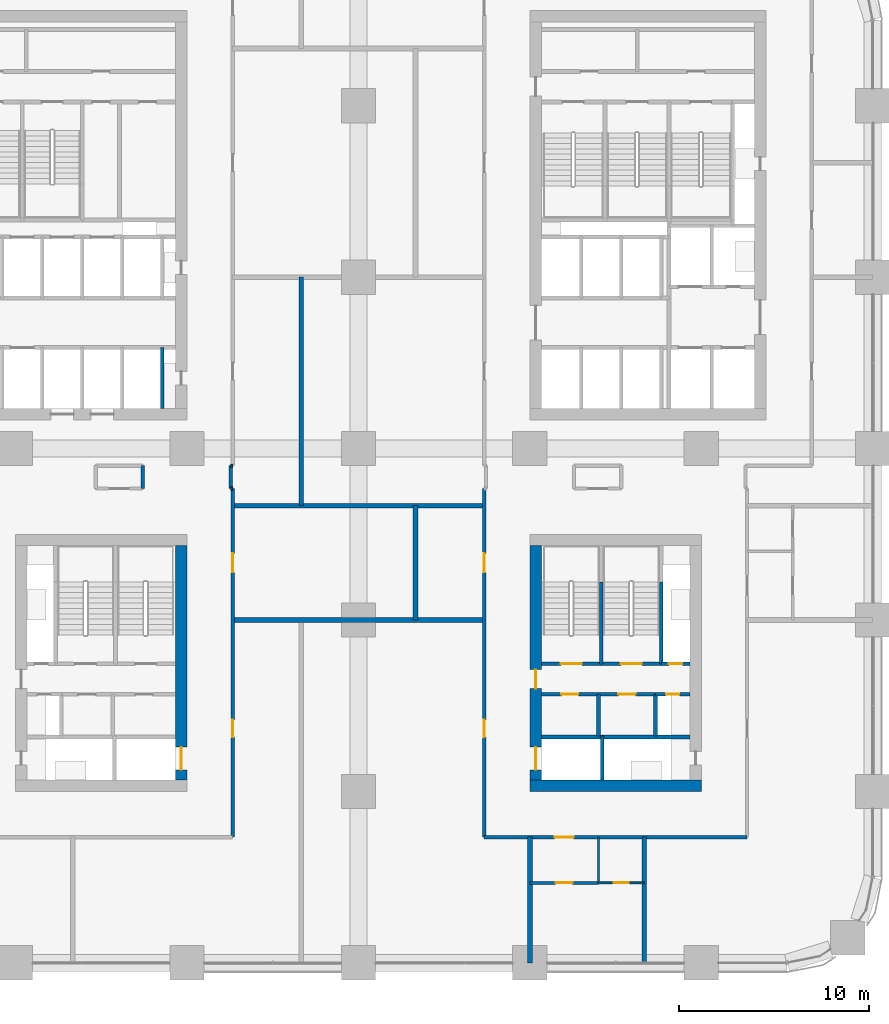
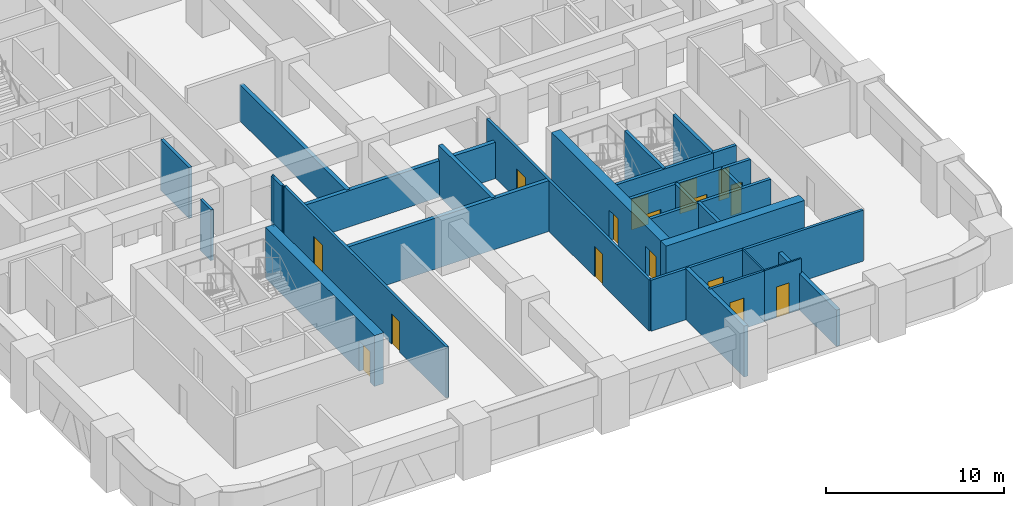
# One storey, part 14 of 21: 30 walls, 16 doors, 16 openings.
"""IFC4 building model written with IfcOpenShell, lengths in metres."""

from ifc_helpers import new_model, si_unit, direction, frame, frame_2d, origin, place, context, subcontext, project, spatial, rectangle, extrude, material, layer, layer_set, type_object, element, fill, save


model = new_model("IFC4")

# Units and contexts
model_context = context("Model", 3, precision=1e-05, world=origin(), true_north=direction((0.0, 1.0)))
body_context = subcontext(model_context, "Body", "Model", "MODEL_VIEW")
ifc_project = project(units=[si_unit("LENGTHUNIT", "METRE"), si_unit("AREAUNIT", "SQUARE_METRE"), si_unit("VOLUMEUNIT", "CUBIC_METRE"), si_unit("PLANEANGLEUNIT", "RADIAN"), si_unit("MASSUNIT", "GRAM", prefix="KILO")], contexts=[model_context])

# Site, building, storey
site_placement = place(None, origin())
site = spatial("IfcSite", under=ifc_project, at=site_placement, CompositionType="ELEMENT")
building_placement = place(site_placement, origin())
building = spatial("IfcBuilding", under=site, at=building_placement, Name="Tessera Arch", CompositionType="ELEMENT")
storey_placement = place(building_placement, frame((0.0, 0.0, 65.199951171875)))
storey = spatial("IfcBuildingStorey", under=building, at=storey_placement, Name="L14", CompositionType="ELEMENT", Elevation=65.199951171875)

# Wall
ifc_material_1 = material(Name="Gypsum board on steel stud", Category="steel")
ifc_layer_1 = layer(ifc_material_1, 0.125)
ifc_layer_set_1 = layer_set([ifc_layer_1], Name="Core partition 125 EI 60")
wall_type_1 = type_object("IfcWallType", Name="Core partition 125 EI 60", PredefinedType="PARTITIONING", material=ifc_layer_set_1)
wall_1_placement = place(storey_placement, frame((39.60009765625, 11.89990234375, 0.0), z_axis=(0.0, 0.0, 1.0), x_axis=(0.0, 1.0, 0.0)))
element("IfcWall", 1, at=wall_1_placement, inside=storey, type_object=wall_type_1, Name="L14 C3 partition wall 1", PredefinedType="PARTITIONING", context=body_context, shape_type="SweptSolid", body=[
    extrude(rectangle(XDim=2.2001953125, YDim=0.199951171875, at=frame_2d((1.10009765625, 0.0))), origin(), (0.0, 0.0, 1.0), 3.5),
])

# Wall, openings, doors
wall_2_placement = place(storey_placement, frame((36.60009765625, 14.10009765625, 0.0), z_axis=(0.0, 0.0, 1.0), x_axis=(1.0, 0.0, 0.0)))
wall_2 = element("IfcWall", 2, at=wall_2_placement, inside=storey, type_object=wall_type_1, Name="L14 C3 partition wall 9", PredefinedType="PARTITIONING", context=body_context, shape_type="SweptSolid", body=[
    extrude(rectangle(XDim=6.0, YDim=0.199951171875, at=frame_2d((3.0, 0.0))), origin(), (0.0, 0.0, 1.0), 3.5),
])
opening_1_placement = place(wall_2_placement, frame((1.050048828125, 0.0, 0.0)))
opening_1 = element("IfcOpeningElement", 3, at=opening_1_placement, cuts=wall_2, Name="Opening L14-C39", PredefinedType="OPENING", context=body_context, shape_type="SweptSolid", body=[
    extrude(rectangle(XDim=0.89990234375, YDim=2.10009765625, at=frame_2d((0.449951171875, 1.050048828125))), frame((0.0, 0.10986328125, 0.0), z_axis=(0.0, -1.0, 0.0), x_axis=(1.0, 0.0, 0.0)), (0.0, 0.0, 1.0), 0.219970703125),
])
opening_2_placement = place(wall_2_placement, frame((4.050048828125, 0.0, 0.0)))
opening_2 = element("IfcOpeningElement", 4, at=opening_2_placement, cuts=wall_2, Name="Opening L14-C40", PredefinedType="OPENING", context=body_context, shape_type="SweptSolid", body=[
    extrude(rectangle(XDim=0.89990234375, YDim=2.10009765625, at=frame_2d((0.449951171875, 1.050048828125))), frame((0.0, 0.10986328125, 0.0), z_axis=(0.0, -1.0, 0.0), x_axis=(1.0, 0.0, 0.0)), (0.0, 0.0, 1.0), 0.219970703125),
])
ifc_material_2 = material(Name="Steel door leaf", Category="steel")
door_type_1 = type_object("IfcDoorType", Name="Store door FD30S 900 x 2100", OperationType="SINGLE_SWING_LEFT", PredefinedType="DOOR", material=ifc_material_2)
door_1_placement = place(opening_1_placement, origin())
door_1 = element("IfcDoor", 5, at=door_1_placement, inside=storey, type_object=door_type_1, Name="L14 C3 door 8 C39 type D09", OperationType="SINGLE_SWING_LEFT", OverallHeight=2.10009765625, OverallWidth=0.89990234375, PredefinedType="DOOR", context=body_context, shape_type="SweptSolid", body=[
    extrude(rectangle(XDim=0.89990234375, YDim=2.10009765625, at=frame_2d((0.449951171875, 1.050048828125))), frame((0.0, 0.02490234375, 0.0), z_axis=(0.0, -1.0, 0.0), x_axis=(1.0, 0.0, 0.0)), (0.0, 0.0, 1.0), 0.050048828125),
])
fill(opening_1, door_1)
door_2_placement = place(opening_2_placement, origin())
door_2 = element("IfcDoor", 6, at=door_2_placement, inside=storey, type_object=door_type_1, Name="L14 C3 door 9 C40 type D09", OperationType="SINGLE_SWING_RIGHT", OverallHeight=2.10009765625, OverallWidth=0.89990234375, PredefinedType="DOOR", context=body_context, shape_type="SweptSolid", body=[
    extrude(rectangle(XDim=0.89990234375, YDim=2.10009765625, at=frame_2d((0.449951171875, 1.050048828125))), frame((0.0, 0.02490234375, 0.0), z_axis=(0.0, -1.0, 0.0), x_axis=(1.0, 0.0, 0.0)), (0.0, 0.0, 1.0), 0.050048828125),
])
fill(opening_2, door_2)

# Wall
ifc_material_3 = material(Name="Concrete C70/85", Category="concrete")
ifc_layer_2 = layer(ifc_material_3, 0.60009765625)
ifc_layer_set_2 = layer_set([ifc_layer_2], Name="Core shell wall 600 C70-85")
wall_type_2 = type_object("IfcWallType", Name="Core shell wall 600 C70-85", PredefinedType="SHEAR", material=ifc_layer_set_2)
wall_3_placement = place(storey_placement, frame((36.0, 9.300048828125, 0.0), z_axis=(0.0, 0.0, 1.0), x_axis=(1.0, 0.0, 0.0)))
element("IfcWall", 7, at=wall_3_placement, inside=storey, type_object=wall_type_2, Name="L14 C3 core wall S", PredefinedType="SHEAR", context=body_context, shape_type="SweptSolid", body=[
    extrude(rectangle(XDim=9.0, YDim=0.60009765625, at=frame_2d((4.5, 0.0))), origin(), (0.0, 0.0, 1.0), 3.5),
])

# Wall, openings, doors
wall_4_placement = place(storey_placement, frame((36.300048828125, 9.60009765625, 0.0), z_axis=(0.0, 0.0, 1.0), x_axis=(0.0, 1.0, 0.0)))
wall_4 = element("IfcWall", 8, at=wall_4_placement, inside=storey, type_object=wall_type_2, Name="L14 C3 core wall W", PredefinedType="SHEAR", context=body_context, shape_type="SweptSolid", body=[
    extrude(rectangle(XDim=12.2998046875, YDim=0.60009765625, at=frame_2d((6.14990234375, 0.0))), origin(), (0.0, 0.0, 1.0), 3.5),
])
opening_3_placement = place(wall_4_placement, frame((0.52490234375, 0.0, 0.0)))
opening_3 = element("IfcOpeningElement", 9, at=opening_3_placement, cuts=wall_4, Name="Opening L14-C32", PredefinedType="OPENING", context=body_context, shape_type="SweptSolid", body=[
    extrude(rectangle(XDim=1.199951171875, YDim=2.10009765625, at=frame_2d((0.60009765625, 1.050048828125))), frame((0.0, 0.31005859375, 0.0), z_axis=(0.0, -1.0, 0.0), x_axis=(1.0, 0.0, 0.0)), (0.0, 0.0, 1.0), 0.6201171875),
])
opening_4_placement = place(wall_4_placement, frame((4.800048828125, 0.0, 0.0)))
opening_4 = element("IfcOpeningElement", 10, at=opening_4_placement, cuts=wall_4, Name="Opening L14-C38", PredefinedType="OPENING", context=body_context, shape_type="SweptSolid", body=[
    extrude(rectangle(XDim=1.0, YDim=2.10009765625, at=frame_2d((0.5, 1.050048828125))), frame((0.0, 0.31005859375, 0.0), z_axis=(0.0, -1.0, 0.0), x_axis=(1.0, 0.0, 0.0)), (0.0, 0.0, 1.0), 0.6201171875),
])
ifc_material_4 = material(Name="Steel door leaf", Category="steel")
door_type_2 = type_object("IfcDoorType", Name="Corridor door FD60 1000 x 2100", OperationType="SINGLE_SWING_LEFT", PredefinedType="DOOR", material=ifc_material_4)
door_3_placement = place(opening_4_placement, origin())
door_3 = element("IfcDoor", 11, at=door_3_placement, inside=storey, type_object=door_type_2, Name="L14 C3 door 7 C38 type D12", OperationType="SINGLE_SWING_LEFT", OverallHeight=2.10009765625, OverallWidth=1.0, PredefinedType="DOOR", context=body_context, shape_type="SweptSolid", body=[
    extrude(rectangle(XDim=1.0, YDim=2.10009765625, at=frame_2d((0.5, 1.050048828125))), frame((0.0, 0.02490234375, 0.0), z_axis=(0.0, -1.0, 0.0), x_axis=(1.0, 0.0, 0.0)), (0.0, 0.0, 1.0), 0.050048828125),
])
fill(opening_4, door_3)
ifc_material_5 = material(Name="Stainless steel AISI 304", Category="steel")
door_type_3 = type_object("IfcDoorType", Name="Sliding landing door 1200 x 2100", OperationType="SLIDING_TO_LEFT", PredefinedType="DOOR", material=ifc_material_5)
door_4_placement = place(opening_3_placement, origin())
door_4 = element("IfcDoor", 12, at=door_4_placement, inside=storey, type_object=door_type_3, Name="L14 SV1 lift landing door C32 type LD", OperationType="SLIDING_TO_LEFT", OverallHeight=2.10009765625, OverallWidth=1.199951171875, PredefinedType="DOOR", context=body_context, shape_type="SweptSolid", body=[
    extrude(rectangle(XDim=1.199951171875, YDim=2.10009765625, at=frame_2d((0.60009765625, 1.050048828125))), frame((0.0, 0.02490234375, 0.0), z_axis=(0.0, -1.0, 0.0), x_axis=(1.0, 0.0, 0.0)), (0.0, 0.0, 1.0), 0.050048828125),
])
fill(opening_3, door_4)

# Wall, opening, door
wall_5_placement = place(storey_placement, frame((17.699951171875, 9.60009765625, 0.0), z_axis=(0.0, 0.0, 1.0), x_axis=(0.0, 1.0, 0.0)))
wall_5 = element("IfcWall", 13, at=wall_5_placement, inside=storey, type_object=wall_type_2, Name="L14 C4 core wall E", PredefinedType="SHEAR", context=body_context, shape_type="SweptSolid", body=[
    extrude(rectangle(XDim=12.2998046875, YDim=0.60009765625, at=frame_2d((6.14990234375, 0.0))), origin(), (0.0, 0.0, 1.0), 3.5),
])
opening_5_placement = place(wall_5_placement, frame((0.52490234375, 0.0, 0.0)))
opening_5 = element("IfcOpeningElement", 14, at=opening_5_placement, cuts=wall_5, Name="Opening L14-C41", PredefinedType="OPENING", context=body_context, shape_type="SweptSolid", body=[
    extrude(rectangle(XDim=1.199951171875, YDim=2.10009765625, at=frame_2d((0.60009765625, 1.050048828125))), frame((0.0, 0.31005859375, 0.0), z_axis=(0.0, -1.0, 0.0), x_axis=(1.0, 0.0, 0.0)), (0.0, 0.0, 1.0), 0.6201171875),
])
door_5_placement = place(opening_5_placement, origin())
door_5 = element("IfcDoor", 15, at=door_5_placement, inside=storey, type_object=door_type_3, Name="L14 SV3 lift landing door C41 type LD", OperationType="SLIDING_TO_LEFT", OverallHeight=2.10009765625, OverallWidth=1.199951171875, PredefinedType="DOOR", context=body_context, shape_type="SweptSolid", body=[
    extrude(rectangle(XDim=1.199951171875, YDim=2.10009765625, at=frame_2d((0.60009765625, 1.050048828125))), frame((0.0, 0.02490234375, 0.0), z_axis=(0.0, -1.0, 0.0), x_axis=(1.0, 0.0, 0.0)), (0.0, 0.0, 1.0), 0.050048828125),
])
fill(opening_5, door_5)

ifc_material_6 = material(Name="Gypsum board on deep steel stud with mineral wool", Category="steel")
ifc_layer_3 = layer(ifc_material_6, 0.175048828125)
ifc_layer_set_3 = layer_set([ifc_layer_3], Name="Corridor wall 175 EI 60")
wall_type_3 = type_object("IfcWallType", Name="Corridor wall 175 EI 60", PredefinedType="PARTITIONING", material=ifc_layer_set_3)
wall_6_placement = place(storey_placement, frame((33.60009765625, 6.60009765625, 0.0), z_axis=(0.0, 0.0, 1.0), x_axis=(1.0, 0.0, 0.0)))
wall_6 = element("IfcWall", 16, at=wall_6_placement, inside=storey, type_object=wall_type_3, Name="L14 partition 2", PredefinedType="PARTITIONING", context=body_context, shape_type="SweptSolid", body=[
    extrude(rectangle(XDim=13.7998046875, YDim=0.175048828125, at=frame_2d((6.89990234375, 0.0))), origin(), (0.0, 0.0, 1.0), 3.5),
])
opening_6_placement = place(wall_6_placement, frame((3.699951171875, 0.0, 0.0)))
opening_6 = element("IfcOpeningElement", 17, at=opening_6_placement, cuts=wall_6, Name="Opening L14-D001", PredefinedType="OPENING", context=body_context, shape_type="SweptSolid", body=[
    extrude(rectangle(XDim=1.0, YDim=2.10009765625, at=frame_2d((0.5, 1.050048828125))), frame((0.0, 0.097412109375, 0.0), z_axis=(0.0, -1.0, 0.0), x_axis=(1.0, 0.0, 0.0)), (0.0, 0.0, 1.0), 0.195068359375),
])
ifc_material_7 = material(Name="Fire-rated door leaf")
door_type_4 = type_object("IfcDoorType", Name="Entrance door FD30S 1000 x 2100", OperationType="SINGLE_SWING_LEFT", PredefinedType="DOOR", material=ifc_material_7)
door_6_placement = place(opening_6_placement, origin())
door_6 = element("IfcDoor", 18, at=door_6_placement, inside=storey, type_object=door_type_4, Name="L14 door D001 type D03", OperationType="SINGLE_SWING_RIGHT", OverallHeight=2.10009765625, OverallWidth=1.0, PredefinedType="DOOR", context=body_context, shape_type="SweptSolid", body=[
    extrude(rectangle(XDim=1.0, YDim=2.10009765625, at=frame_2d((0.5, 1.050048828125))), frame((0.0, 0.02490234375, 0.0), z_axis=(0.0, -1.0, 0.0), x_axis=(1.0, 0.0, 0.0)), (0.0, 0.0, 1.0), 0.050048828125),
])
fill(opening_6, door_6)

# Walls
for number, where, z_axis, x_axis, name in (
    (19, (20.300048828125, 24.89990234375, 0.0), (0.0, 0.0, 1.0), (1.0, 0.0, 0.0), "L14 partition 5"),
    (20, (20.300048828125, 26.10009765625, 0.0), (0.0, 0.0, 1.0), (1.0, 0.0, 0.0), "L14 partition 11"),
):
    element("IfcWall", number, at=place(storey_placement, frame(where, z_axis=z_axis, x_axis=x_axis)), inside=storey, type_object=wall_type_3, Name=name, PredefinedType="PARTITIONING", context=body_context, shape_type="SweptSolid", body=[
        extrude(rectangle(XDim=0.099853515625, YDim=0.175048828125, at=frame_2d((0.0498046875, 0.0))), origin(), (0.0, 0.0, 1.0), 3.5),
    ])
for number, where, z_axis, x_axis, name in (
    (21, (15.679931640625, 24.89990234375, 0.0), (0.0, 0.0, 1.0), (0.0, 1.0, 0.0), "L14 partition 21"),
    (22, (20.300048828125, 24.89990234375, 0.0), (0.0, 0.0, 1.0), (0.0, 1.0, 0.0), "L14 partition 22"),
):
    element("IfcWall", number, at=place(storey_placement, frame(where, z_axis=z_axis, x_axis=x_axis)), inside=storey, type_object=wall_type_3, Name=name, PredefinedType="PARTITIONING", context=body_context, shape_type="SweptSolid", body=[
        extrude(rectangle(XDim=1.2001953125, YDim=0.175048828125, at=frame_2d((0.60009765625, 0.0))), origin(), (0.0, 0.0, 1.0), 3.5),
    ])

# Wall, openings, doors
wall_7_placement = place(storey_placement, frame((20.39990234375, 6.60009765625, 0.0), z_axis=(0.0, 0.0, 1.0), x_axis=(0.0, 1.0, 0.0)))
wall_7 = element("IfcWall", 23, at=wall_7_placement, inside=storey, type_object=wall_type_3, Name="L14 partition 23", PredefinedType="PARTITIONING", context=body_context, shape_type="SweptSolid", body=[
    extrude(rectangle(XDim=18.2998046875, YDim=0.175048828125, at=frame_2d((9.14990234375, 0.0))), origin(), (0.0, 0.0, 1.0), 3.5),
])
opening_7_placement = place(wall_7_placement, frame((5.25, 0.0, 0.0)))
opening_7 = element("IfcOpeningElement", 24, at=opening_7_placement, cuts=wall_7, Name="Opening L14-D004", PredefinedType="OPENING", context=body_context, shape_type="SweptSolid", body=[
    extrude(rectangle(XDim=0.89990234375, YDim=2.10009765625, at=frame_2d((0.449951171875, 1.050048828125))), frame((0.0, 0.097412109375, 0.0), z_axis=(0.0, -1.0, 0.0), x_axis=(1.0, 0.0, 0.0)), (0.0, 0.0, 1.0), 0.195068359375),
])
opening_8_placement = place(wall_7_placement, frame((13.89990234375, 0.0, 0.0)))
opening_8 = element("IfcOpeningElement", 25, at=opening_8_placement, cuts=wall_7, Name="Opening L14-D008", PredefinedType="OPENING", context=body_context, shape_type="SweptSolid", body=[
    extrude(rectangle(XDim=1.0, YDim=2.10009765625, at=frame_2d((0.5, 1.050048828125))), frame((0.0, 0.097412109375, 0.0), z_axis=(0.0, -1.0, 0.0), x_axis=(1.0, 0.0, 0.0)), (0.0, 0.0, 1.0), 0.195068359375),
])
door_7_placement = place(opening_8_placement, origin())
door_7 = element("IfcDoor", 26, at=door_7_placement, inside=storey, type_object=door_type_4, Name="L14 door D008 type D03", OperationType="SINGLE_SWING_LEFT", OverallHeight=2.10009765625, OverallWidth=1.0, PredefinedType="DOOR", context=body_context, shape_type="SweptSolid", body=[
    extrude(rectangle(XDim=1.0, YDim=2.10009765625, at=frame_2d((0.5, 1.050048828125))), frame((0.0, 0.02490234375, 0.0), z_axis=(0.0, -1.0, 0.0), x_axis=(1.0, 0.0, 0.0)), (0.0, 0.0, 1.0), 0.050048828125),
])
fill(opening_8, door_7)
ifc_material_8 = material(Name="Timber door leaf", Category="wood")
door_type_5 = type_object("IfcDoorType", Name="Room door 900 x 2100", OperationType="SINGLE_SWING_LEFT", PredefinedType="DOOR", material=ifc_material_8)
door_8_placement = place(opening_7_placement, origin())
door_8 = element("IfcDoor", 27, at=door_8_placement, inside=storey, type_object=door_type_5, Name="L14 door D004 type D01", OperationType="SINGLE_SWING_LEFT", OverallHeight=2.10009765625, OverallWidth=0.89990234375, PredefinedType="DOOR", context=body_context, shape_type="SweptSolid", body=[
    extrude(rectangle(XDim=0.89990234375, YDim=2.10009765625, at=frame_2d((0.449951171875, 1.050048828125))), frame((0.0, 0.02490234375, 0.0), z_axis=(0.0, -1.0, 0.0), x_axis=(1.0, 0.0, 0.0)), (0.0, 0.0, 1.0), 0.050048828125),
])
fill(opening_7, door_8)

wall_8_placement = place(storey_placement, frame((33.60009765625, 6.60009765625, 0.0), z_axis=(0.0, 0.0, 1.0), x_axis=(0.0, 1.0, 0.0)))
wall_8 = element("IfcWall", 28, at=wall_8_placement, inside=storey, type_object=wall_type_3, Name="L14 partition 25", PredefinedType="PARTITIONING", context=body_context, shape_type="SweptSolid", body=[
    extrude(rectangle(XDim=18.2998046875, YDim=0.175048828125, at=frame_2d((9.14990234375, 0.0))), origin(), (0.0, 0.0, 1.0), 3.5),
])
opening_9_placement = place(wall_8_placement, frame((5.25, 0.0, 0.0)))
opening_9 = element("IfcOpeningElement", 29, at=opening_9_placement, cuts=wall_8, Name="Opening L14-D007", PredefinedType="OPENING", context=body_context, shape_type="SweptSolid", body=[
    extrude(rectangle(XDim=0.89990234375, YDim=2.10009765625, at=frame_2d((0.449951171875, 1.050048828125))), frame((0.0, 0.097412109375, 0.0), z_axis=(0.0, -1.0, 0.0), x_axis=(1.0, 0.0, 0.0)), (0.0, 0.0, 1.0), 0.195068359375),
])
opening_10_placement = place(wall_8_placement, frame((13.89990234375, 0.0, 0.0)))
opening_10 = element("IfcOpeningElement", 30, at=opening_10_placement, cuts=wall_8, Name="Opening L14-D009", PredefinedType="OPENING", context=body_context, shape_type="SweptSolid", body=[
    extrude(rectangle(XDim=1.0, YDim=2.10009765625, at=frame_2d((0.5, 1.050048828125))), frame((0.0, 0.097412109375, 0.0), z_axis=(0.0, -1.0, 0.0), x_axis=(1.0, 0.0, 0.0)), (0.0, 0.0, 1.0), 0.195068359375),
])
door_9_placement = place(opening_10_placement, origin())
door_9 = element("IfcDoor", 31, at=door_9_placement, inside=storey, type_object=door_type_4, Name="L14 door D009 type D03", OperationType="SINGLE_SWING_LEFT", OverallHeight=2.10009765625, OverallWidth=1.0, PredefinedType="DOOR", context=body_context, shape_type="SweptSolid", body=[
    extrude(rectangle(XDim=1.0, YDim=2.10009765625, at=frame_2d((0.5, 1.050048828125))), frame((0.0, 0.02490234375, 0.0), z_axis=(0.0, -1.0, 0.0), x_axis=(1.0, 0.0, 0.0)), (0.0, 0.0, 1.0), 0.050048828125),
])
fill(opening_10, door_9)
door_10_placement = place(opening_9_placement, origin())
door_10 = element("IfcDoor", 32, at=door_10_placement, inside=storey, type_object=door_type_5, Name="L14 door D007 type D01", OperationType="SINGLE_SWING_LEFT", OverallHeight=2.10009765625, OverallWidth=0.89990234375, PredefinedType="DOOR", context=body_context, shape_type="SweptSolid", body=[
    extrude(rectangle(XDim=0.89990234375, YDim=2.10009765625, at=frame_2d((0.449951171875, 1.050048828125))), frame((0.0, 0.02490234375, 0.0), z_axis=(0.0, -1.0, 0.0), x_axis=(1.0, 0.0, 0.0)), (0.0, 0.0, 1.0), 0.050048828125),
])
fill(opening_9, door_10)

# Wall, opening, door
ifc_material_9 = material(Name="Gypsum board on steel stud", Category="steel")
ifc_layer_4 = layer(ifc_material_9, 0.14990234375)
ifc_layer_set_4 = layer_set([ifc_layer_4], Name="Partition 150")
wall_type_4 = type_object("IfcWallType", Name="Partition 150", PredefinedType="PARTITIONING", material=ifc_layer_set_4)
wall_9_placement = place(storey_placement, frame((36.0, 4.199951171875, 0.0), z_axis=(0.0, 0.0, 1.0), x_axis=(1.0, 0.0, 0.0)))
wall_9 = element("IfcWall", 33, at=wall_9_placement, inside=storey, type_object=wall_type_4, Name="L14 partition 33", PredefinedType="PARTITIONING", context=body_context, shape_type="SweptSolid", body=[
    extrude(rectangle(XDim=3.60009765625, YDim=0.14990234375, at=frame_2d((1.800048828125, 0.0))), origin(), (0.0, 0.0, 1.0), 3.5),
])
opening_11_placement = place(wall_9_placement, frame((1.35009765625, 0.0, 0.0)))
opening_11 = element("IfcOpeningElement", 34, at=opening_11_placement, cuts=wall_9, Name="Opening L14-D002", PredefinedType="OPENING", context=body_context, shape_type="SweptSolid", body=[
    extrude(rectangle(XDim=0.89990234375, YDim=2.10009765625, at=frame_2d((0.449951171875, 1.050048828125))), frame((0.0, 0.0849609375, 0.0), z_axis=(0.0, -1.0, 0.0), x_axis=(1.0, 0.0, 0.0)), (0.0, 0.0, 1.0), 0.169921875),
])
door_11_placement = place(opening_11_placement, origin())
door_11 = element("IfcDoor", 35, at=door_11_placement, inside=storey, type_object=door_type_5, Name="L14 door D002 type D01", OperationType="SINGLE_SWING_LEFT", OverallHeight=2.10009765625, OverallWidth=0.89990234375, PredefinedType="DOOR", context=body_context, shape_type="SweptSolid", body=[
    extrude(rectangle(XDim=0.89990234375, YDim=2.10009765625, at=frame_2d((0.449951171875, 1.050048828125))), frame((0.0, 0.02490234375, 0.0), z_axis=(0.0, -1.0, 0.0), x_axis=(1.0, 0.0, 0.0)), (0.0, 0.0, 1.0), 0.050048828125),
])
fill(opening_11, door_11)

# Walls
ifc_material_10 = material(Name="Double gypsum board on twin steel stud with acoustic mineral wool", Category="steel")
ifc_layer_5 = layer(ifc_material_10, 0.25)
ifc_layer_set_5 = layer_set([ifc_layer_5], Name="Party wall 250 EI 60")
wall_type_5 = type_object("IfcWallType", Name="Party wall 250 EI 60", PredefinedType="PARTITIONING", material=ifc_layer_set_5)
wall_10_placement = place(storey_placement, frame((20.39990234375, 18.0, 0.0), z_axis=(0.0, 0.0, 1.0), x_axis=(1.0, 0.0, 0.0)))
element("IfcWall", 36, at=wall_10_placement, inside=storey, type_object=wall_type_5, Name="L14 partition 37", PredefinedType="PARTITIONING", context=body_context, shape_type="SweptSolid", body=[
    extrude(rectangle(XDim=13.2001953125, YDim=0.25, at=frame_2d((6.60009765625, 0.0))), origin(), (0.0, 0.0, 1.0), 3.5),
])
wall_11_placement = place(storey_placement, frame((20.39990234375, 24.0, 0.0), z_axis=(0.0, 0.0, 1.0), x_axis=(1.0, 0.0, 0.0)))
element("IfcWall", 37, at=wall_11_placement, inside=storey, type_object=wall_type_5, Name="L14 partition 39", PredefinedType="PARTITIONING", context=body_context, shape_type="SweptSolid", body=[
    extrude(rectangle(XDim=13.2001953125, YDim=0.25, at=frame_2d((6.60009765625, 0.0))), origin(), (0.0, 0.0, 1.0), 2.5),
])
wall_12_placement = place(storey_placement, frame((24.0, 24.0, 0.0), z_axis=(0.0, 0.0, 1.0), x_axis=(0.0, 1.0, 0.0)))
element("IfcWall", 38, at=wall_12_placement, inside=storey, type_object=wall_type_5, Name="L14 partition 51", PredefinedType="PARTITIONING", context=body_context, shape_type="SweptSolid", body=[
    extrude(rectangle(XDim=12.0, YDim=0.25, at=frame_2d((6.0, 0.0))), origin(), (0.0, 0.0, 1.0), 2.5),
])
wall_13_placement = place(storey_placement, frame((30.0, 18.0, 0.0), z_axis=(0.0, 0.0, 1.0), x_axis=(0.0, 1.0, 0.0)))
element("IfcWall", 39, at=wall_13_placement, inside=storey, type_object=wall_type_5, Name="L14 partition 53", PredefinedType="PARTITIONING", context=body_context, shape_type="SweptSolid", body=[
    extrude(rectangle(XDim=6.0, YDim=0.25, at=frame_2d((3.0, 0.0))), origin(), (0.0, 0.0, 1.0), 3.5),
])
wall_14_placement = place(storey_placement, frame((36.0, 0.0, 0.0), z_axis=(0.0, 0.0, 1.0), x_axis=(0.0, 1.0, 0.0)))
element("IfcWall", 40, at=wall_14_placement, inside=storey, type_object=wall_type_5, Name="L14 partition 55", PredefinedType="PARTITIONING", context=body_context, shape_type="SweptSolid", body=[
    extrude(rectangle(XDim=6.60009765625, YDim=0.25, at=frame_2d((3.300048828125, 0.0))), origin(), (0.0, 0.0, 1.0), 3.5),
])
wall_15_placement = place(storey_placement, frame((42.0, 0.0, 0.0), z_axis=(0.0, 0.0, 1.0), x_axis=(0.0, 1.0, 0.0)))
element("IfcWall", 41, at=wall_15_placement, inside=storey, type_object=wall_type_5, Name="L14 partition 57", PredefinedType="PARTITIONING", context=body_context, shape_type="SweptSolid", body=[
    extrude(rectangle(XDim=6.60009765625, YDim=0.25, at=frame_2d((3.300048828125, 0.0))), origin(), (0.0, 0.0, 1.0), 2.5),
])
ifc_material_11 = material(Name="Concrete C40/50", Category="concrete")
ifc_layer_6 = layer(ifc_material_11, 0.199951171875)
ifc_layer_set_6 = layer_set([ifc_layer_6], Name="Shaft wall 200 EI 120")
wall_type_6 = type_object("IfcWallType", Name="Shaft wall 200 EI 120", PredefinedType="SOLIDWALL", material=ifc_layer_set_6)
wall_16_placement = place(storey_placement, frame((16.699951171875, 29.10009765625, 0.0), z_axis=(0.0, 0.0, 1.0), x_axis=(0.0, 1.0, 0.0)))
element("IfcWall", 42, at=wall_16_placement, inside=storey, type_object=wall_type_6, Name="L14 C2 shaft wall 15", PredefinedType="SOLIDWALL", context=body_context, shape_type="SweptSolid", body=[
    extrude(rectangle(XDim=3.199951171875, YDim=0.199951171875, at=frame_2d((1.60009765625, 0.0))), origin(), (0.0, 0.0, 1.0), 3.5),
])
wall_17_placement = place(storey_placement, frame((39.800048828125, 9.60009765625, 0.0), z_axis=(0.0, 0.0, 1.0), x_axis=(0.0, 1.0, 0.0)))
element("IfcWall", 43, at=wall_17_placement, inside=storey, type_object=wall_type_6, Name="L14 C3 shaft wall 4", PredefinedType="SOLIDWALL", context=body_context, shape_type="SweptSolid", body=[
    extrude(rectangle(XDim=2.2998046875, YDim=0.199951171875, at=frame_2d((1.14990234375, 0.0))), origin(), (0.0, 0.0, 1.0), 3.5),
])
wall_18_placement = place(storey_placement, frame((42.60009765625, 11.89990234375, 0.0), z_axis=(0.0, 0.0, 1.0), x_axis=(0.0, 1.0, 0.0)))
element("IfcWall", 44, at=wall_18_placement, inside=storey, type_object=wall_type_6, Name="L14 C3 shaft wall 5", PredefinedType="SOLIDWALL", context=body_context, shape_type="SweptSolid", body=[
    extrude(rectangle(XDim=2.2001953125, YDim=0.199951171875, at=frame_2d((1.10009765625, 0.0))), origin(), (0.0, 0.0, 1.0), 3.5),
])
wall_19_placement = place(storey_placement, frame((36.60009765625, 11.85009765625, 0.0), z_axis=(0.0, 0.0, 1.0), x_axis=(1.0, 0.0, 0.0)))
element("IfcWall", 45, at=wall_19_placement, inside=storey, type_object=wall_type_6, Name="L14 C3 shaft wall 8", PredefinedType="SOLIDWALL", context=body_context, shape_type="SweptSolid", body=[
    extrude(rectangle(XDim=7.7998046875, YDim=0.199951171875, at=frame_2d((3.89990234375, 0.0))), origin(), (0.0, 0.0, 1.0), 3.5),
])

# Wall, opening, door
wall_20_placement = place(storey_placement, frame((42.60009765625, 14.10009765625, 0.0), z_axis=(0.0, 0.0, 1.0), x_axis=(1.0, 0.0, 0.0)))
wall_20 = element("IfcWall", 46, at=wall_20_placement, inside=storey, type_object=wall_type_6, Name="L14 C3 shaft wall 10", PredefinedType="SOLIDWALL", context=body_context, shape_type="SweptSolid", body=[
    extrude(rectangle(XDim=1.7998046875, YDim=0.199951171875, at=frame_2d((0.89990234375, 0.0))), origin(), (0.0, 0.0, 1.0), 3.5),
])
opening_12_placement = place(wall_20_placement, frame((0.550048828125, 0.0, 0.0)))
opening_12 = element("IfcOpeningElement", 47, at=opening_12_placement, cuts=wall_20, Name="Opening L14-C36", PredefinedType="OPENING", context=body_context, shape_type="SweptSolid", body=[
    extrude(rectangle(XDim=0.699951171875, YDim=2.10009765625, at=frame_2d((0.35009765625, 1.050048828125))), frame((0.0, 0.10986328125, 0.0), z_axis=(0.0, -1.0, 0.0), x_axis=(1.0, 0.0, 0.0)), (0.0, 0.0, 1.0), 0.219970703125),
])
ifc_material_12 = material(Name="Steel door leaf", Category="steel")
door_type_6 = type_object("IfcDoorType", Name="Service shaft door FD60 700 x 2100", OperationType="SINGLE_SWING_LEFT", PredefinedType="DOOR", material=ifc_material_12)
door_12_placement = place(opening_12_placement, origin())
door_12 = element("IfcDoor", 48, at=door_12_placement, inside=storey, type_object=door_type_6, Name="L14 C3 door 5 C36 type D07", OperationType="SINGLE_SWING_RIGHT", OverallHeight=2.10009765625, OverallWidth=0.699951171875, PredefinedType="DOOR", context=body_context, shape_type="SweptSolid", body=[
    extrude(rectangle(XDim=0.699951171875, YDim=2.10009765625, at=frame_2d((0.35009765625, 1.050048828125))), frame((0.0, 0.02490234375, 0.0), z_axis=(0.0, -1.0, 0.0), x_axis=(1.0, 0.0, 0.0)), (0.0, 0.0, 1.0), 0.050048828125),
])
fill(opening_12, door_12)

wall_21_placement = place(storey_placement, frame((42.89990234375, 15.699951171875, 0.0), z_axis=(0.0, 0.0, 1.0), x_axis=(1.0, 0.0, 0.0)))
wall_21 = element("IfcWall", 49, at=wall_21_placement, inside=storey, type_object=wall_type_6, Name="L14 C3 shaft wall 11", PredefinedType="SOLIDWALL", context=body_context, shape_type="SweptSolid", body=[
    extrude(rectangle(XDim=1.5, YDim=0.199951171875, at=frame_2d((0.75, 0.0))), origin(), (0.0, 0.0, 1.0), 3.5),
])
opening_13_placement = place(wall_21_placement, frame((0.39990234375, 0.0, 0.0)))
opening_13 = element("IfcOpeningElement", 50, at=opening_13_placement, cuts=wall_21, Name="Opening L14-C35", PredefinedType="OPENING", context=body_context, shape_type="SweptSolid", body=[
    extrude(rectangle(XDim=0.699951171875, YDim=2.10009765625, at=frame_2d((0.35009765625, 1.050048828125))), frame((0.0, 0.10986328125, 0.0), z_axis=(0.0, -1.0, 0.0), x_axis=(1.0, 0.0, 0.0)), (0.0, 0.0, 1.0), 0.219970703125),
])
door_13_placement = place(opening_13_placement, origin())
door_13 = element("IfcDoor", 51, at=door_13_placement, inside=storey, type_object=door_type_6, Name="L14 C3 door 4 C35 type D07", OperationType="SINGLE_SWING_LEFT", OverallHeight=2.10009765625, OverallWidth=0.699951171875, PredefinedType="DOOR", context=body_context, shape_type="SweptSolid", body=[
    extrude(rectangle(XDim=0.699951171875, YDim=2.10009765625, at=frame_2d((0.35009765625, 1.050048828125))), frame((0.0, 0.02490234375, 0.0), z_axis=(0.0, -1.0, 0.0), x_axis=(1.0, 0.0, 0.0)), (0.0, 0.0, 1.0), 0.050048828125),
])
fill(opening_13, door_13)

# Walls
ifc_material_13 = material(Name="Concrete C40/50", Category="concrete")
ifc_layer_7 = layer(ifc_material_13, 0.199951171875)
ifc_layer_set_7 = layer_set([ifc_layer_7], Name="Stair well wall 200 REI 180")
wall_type_7 = type_object("IfcWallType", Name="Stair well wall 200 REI 180", PredefinedType="SOLIDWALL", material=ifc_layer_set_7)
for number, where, z_axis, x_axis, name in (
    (52, (39.75, 15.699951171875, 0.0), (0.0, 0.0, 1.0), (0.0, 1.0, 0.0), "L14 C3 shaft wall 2"),
    (53, (42.89990234375, 15.699951171875, 0.0), (0.0, 0.0, 1.0), (0.0, 1.0, 0.0), "L14 C3 shaft wall 6"),
):
    element("IfcWall", number, at=place(storey_placement, frame(where, z_axis=z_axis, x_axis=x_axis)), inside=storey, type_object=wall_type_7, Name=name, PredefinedType="SOLIDWALL", context=body_context, shape_type="SweptSolid", body=[
        extrude(rectangle(XDim=4.300048828125, YDim=0.199951171875, at=frame_2d((2.14990234375, 0.0))), origin(), (0.0, 0.0, 1.0), 3.5),
    ])

# Wall, openings, doors
wall_22_placement = place(storey_placement, frame((36.60009765625, 15.699951171875, 0.0), z_axis=(0.0, 0.0, 1.0), x_axis=(1.0, 0.0, 0.0)))
wall_22 = element("IfcWall", 54, at=wall_22_placement, inside=storey, type_object=wall_type_7, Name="L14 C3 shaft wall 12", PredefinedType="SOLIDWALL", context=body_context, shape_type="SweptSolid", body=[
    extrude(rectangle(XDim=6.2998046875, YDim=0.199951171875, at=frame_2d((3.14990234375, 0.0))), origin(), (0.0, 0.0, 1.0), 3.5),
])
opening_14_placement = place(wall_22_placement, frame((1.02490234375, 0.0, 0.0)))
opening_14 = element("IfcOpeningElement", 55, at=opening_14_placement, cuts=wall_22, Name="Opening L14-C33", PredefinedType="OPENING", context=body_context, shape_type="SweptSolid", body=[
    extrude(rectangle(XDim=1.10009765625, YDim=2.10009765625, at=frame_2d((0.550048828125, 1.050048828125))), frame((0.0, 0.10986328125, 0.0), z_axis=(0.0, -1.0, 0.0), x_axis=(1.0, 0.0, 0.0)), (0.0, 0.0, 1.0), 0.219970703125),
])
opening_15_placement = place(wall_22_placement, frame((4.175048828125, 0.0, 0.0)))
opening_15 = element("IfcOpeningElement", 56, at=opening_15_placement, cuts=wall_22, Name="Opening L14-C34", PredefinedType="OPENING", context=body_context, shape_type="SweptSolid", body=[
    extrude(rectangle(XDim=1.10009765625, YDim=2.10009765625, at=frame_2d((0.550048828125, 1.050048828125))), frame((0.0, 0.10986328125, 0.0), z_axis=(0.0, -1.0, 0.0), x_axis=(1.0, 0.0, 0.0)), (0.0, 0.0, 1.0), 0.219970703125),
])
ifc_material_14 = material(Name="Steel door leaf", Category="steel")
door_type_7 = type_object("IfcDoorType", Name="Stair door FD60 1100 x 2100", OperationType="SINGLE_SWING_LEFT", PredefinedType="DOOR", material=ifc_material_14)
door_14_placement = place(opening_14_placement, origin())
door_14 = element("IfcDoor", 57, at=door_14_placement, inside=storey, type_object=door_type_7, Name="L14 C3 door 2 C33 type D05", OperationType="SINGLE_SWING_LEFT", OverallHeight=2.10009765625, OverallWidth=1.10009765625, PredefinedType="DOOR", context=body_context, shape_type="SweptSolid", body=[
    extrude(rectangle(XDim=1.10009765625, YDim=2.10009765625, at=frame_2d((0.550048828125, 1.050048828125))), frame((0.0, 0.02490234375, 0.0), z_axis=(0.0, -1.0, 0.0), x_axis=(1.0, 0.0, 0.0)), (0.0, 0.0, 1.0), 0.050048828125),
])
fill(opening_14, door_14)
door_15_placement = place(opening_15_placement, origin())
door_15 = element("IfcDoor", 58, at=door_15_placement, inside=storey, type_object=door_type_7, Name="L14 C3 door 3 C34 type D05", OperationType="SINGLE_SWING_RIGHT", OverallHeight=2.10009765625, OverallWidth=1.10009765625, PredefinedType="DOOR", context=body_context, shape_type="SweptSolid", body=[
    extrude(rectangle(XDim=1.10009765625, YDim=2.10009765625, at=frame_2d((0.550048828125, 1.050048828125))), frame((0.0, 0.02490234375, 0.0), z_axis=(0.0, -1.0, 0.0), x_axis=(1.0, 0.0, 0.0)), (0.0, 0.0, 1.0), 0.050048828125),
])
fill(opening_15, door_15)

# Wall, opening, door
ifc_material_15 = material(Name="Moisture-resistant board on pre-plumbed steel stud", Category="steel")
ifc_layer_8 = layer(ifc_material_15, 0.10009765625)
ifc_layer_set_8 = layer_set([ifc_layer_8], Name="Wet wall 100")
wall_type_8 = type_object("IfcWallType", Name="Wet wall 100", PredefinedType="PARTITIONING", material=ifc_layer_set_8)
wall_23_placement = place(storey_placement, frame((39.60009765625, 4.199951171875, 0.0), z_axis=(0.0, 0.0, 1.0), x_axis=(1.0, 0.0, 0.0)))
wall_23 = element("IfcWall", 59, at=wall_23_placement, inside=storey, type_object=wall_type_8, Name="L14 partition 59", PredefinedType="PARTITIONING", context=body_context, shape_type="SweptSolid", body=[
    extrude(rectangle(XDim=2.39990234375, YDim=0.10009765625, at=frame_2d((1.199951171875, 0.0))), origin(), (0.0, 0.0, 1.0), 3.5),
])
opening_16_placement = place(wall_23_placement, frame((0.800048828125, 0.0, 0.0)))
opening_16 = element("IfcOpeningElement", 60, at=opening_16_placement, cuts=wall_23, Name="Opening L14-D003", PredefinedType="OPENING", context=body_context, shape_type="SweptSolid", body=[
    extrude(rectangle(XDim=0.800048828125, YDim=2.10009765625, at=frame_2d((0.39990234375, 1.050048828125))), frame((0.0, 0.06005859375, 0.0), z_axis=(0.0, -1.0, 0.0), x_axis=(1.0, 0.0, 0.0)), (0.0, 0.0, 1.0), 0.1201171875),
])
ifc_material_16 = material(Name="Timber door leaf", Category="wood")
door_type_8 = type_object("IfcDoorType", Name="En-suite door 800 x 2100", OperationType="SINGLE_SWING_LEFT", PredefinedType="DOOR", material=ifc_material_16)
door_16_placement = place(opening_16_placement, origin())
door_16 = element("IfcDoor", 61, at=door_16_placement, inside=storey, type_object=door_type_8, Name="L14 door D003 type D02", OperationType="SINGLE_SWING_RIGHT", OverallHeight=2.10009765625, OverallWidth=0.800048828125, PredefinedType="DOOR", context=body_context, shape_type="SweptSolid", body=[
    extrude(rectangle(XDim=0.800048828125, YDim=2.10009765625, at=frame_2d((0.39990234375, 1.050048828125))), frame((0.0, 0.02490234375, 0.0), z_axis=(0.0, -1.0, 0.0), x_axis=(1.0, 0.0, 0.0)), (0.0, 0.0, 1.0), 0.050048828125),
])
fill(opening_16, door_16)

# Wall
wall_24_placement = place(storey_placement, frame((39.60009765625, 4.199951171875, 0.0), z_axis=(0.0, 0.0, 1.0), x_axis=(0.0, 1.0, 0.0)))
element("IfcWall", 62, at=wall_24_placement, inside=storey, type_object=wall_type_8, Name="L14 partition 63", PredefinedType="PARTITIONING", context=body_context, shape_type="SweptSolid", body=[
    extrude(rectangle(XDim=2.400146484375, YDim=0.10009765625, at=frame_2d((1.2001953125, 0.0))), origin(), (0.0, 0.0, 1.0), 3.5),
])

save(model, "model.ifc")
